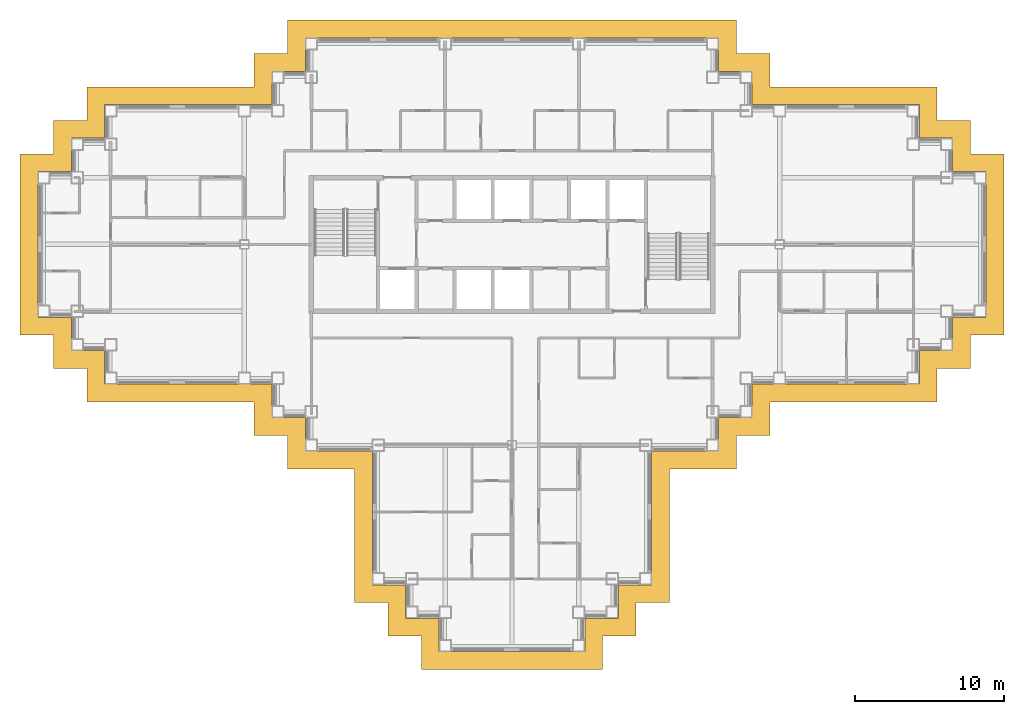
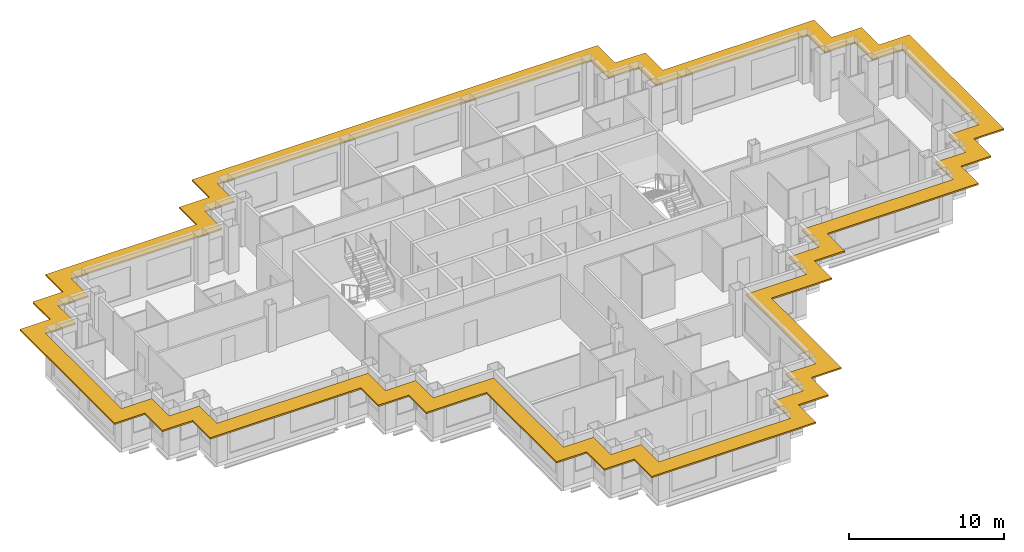
# One storey, part 12 of 13: 1 shading device.
"""IFC4 building model written with IfcOpenShell, lengths in metres."""

from ifc_helpers import new_model, si_unit, direction, frame, origin, place, context, subcontext, project, spatial, polyline, outline, extrude, material, layer, layer_set, type_object, element, save


model = new_model("IFC4")

# Units and contexts
model_context = context("Model", 3, precision=1e-05, world=origin(), true_north=direction((0.0, 1.0)))
body_context = subcontext(model_context, "Body", "Model", "MODEL_VIEW")
ifc_project = project(units=[si_unit("LENGTHUNIT", "METRE"), si_unit("AREAUNIT", "SQUARE_METRE"), si_unit("VOLUMEUNIT", "CUBIC_METRE"), si_unit("PLANEANGLEUNIT", "RADIAN"), si_unit("MASSUNIT", "GRAM", prefix="KILO")], contexts=[model_context])

# Site, building, storey
site_placement = place(None, origin())
site = spatial("IfcSite", under=ifc_project, at=site_placement, CompositionType="ELEMENT")
building_placement = place(site_placement, origin())
building = spatial("IfcBuilding", under=site, at=building_placement, Name="Caravel Reach Hotel and Residences", CompositionType="ELEMENT")
storey_placement = place(building_placement, frame((0.0, 0.0, 154.300048828125)))
storey = spatial("IfcBuildingStorey", under=building, at=storey_placement, Name="L38", CompositionType="ELEMENT", Elevation=154.300048828125)

# Shading device
ifc_material = material(Name="Black powder-coated aluminium", Category="aluminium")
ifc_layer = layer(ifc_material, 0.1201171875)
ifc_layer_set = layer_set([ifc_layer], Name="SS1 Sunshade band 1200")
shading_device_type = type_object("IfcShadingDeviceType", Name="SS1 Sunshade band 1200", PredefinedType="USERDEFINED", material=ifc_layer_set)
shading_device_placement = place(storey_placement, frame((0.0, 0.0, 3.0400390625)))
element("IfcShadingDevice", 1, at=shading_device_placement, inside=storey, type_object=shading_device_type, Name="Sunshade L38 1", ObjectType="SUNSHADE", PredefinedType="USERDEFINED", context=body_context, shape_type="SweptSolid", body=[
    extrude(outline(polyline([(20.89990234375, 11.89990234375), (20.89990234375, 2.89990234375), (23.14990234375, 2.89990234375), (23.14990234375, 0.64990234375), (25.39990234375, 0.64990234375), (25.39990234375, -1.60009765625), (37.60009765625, -1.60009765625), (37.60009765625, 0.64990234375), (39.85009765625, 0.64990234375), (39.85009765625, 2.89990234375), (42.10009765625, 2.89990234375), (42.10009765625, 11.89990234375), (46.60009765625, 11.89990234375), (46.60009765625, 14.14990234375), (48.85009765625, 14.14990234375), (48.85009765625, 16.39990234375), (60.10009765625, 16.39990234375), (60.10009765625, 18.64990234375), (62.35009765625, 18.64990234375), (62.35009765625, 20.89990234375), (64.60009765625, 20.89990234375), (64.60009765625, 33.10009765625), (62.35009765625, 33.10009765625), (62.35009765625, 35.35009765625), (60.10009765625, 35.35009765625), (60.10009765625, 37.60009765625), (48.85009765625, 37.60009765625), (48.85009765625, 39.85009765625), (46.60009765625, 39.85009765625), (46.60009765625, 42.10009765625), (16.39990234375, 42.10009765625), (16.39990234375, 39.85009765625), (14.14990234375, 39.85009765625), (14.14990234375, 37.60009765625), (2.89990234375, 37.60009765625), (2.89990234375, 35.35009765625), (0.64990234375, 35.35009765625), (0.64990234375, 33.10009765625), (-1.60009765625, 33.10009765625), (-1.60009765625, 20.89990234375), (0.64990234375, 20.89990234375), (0.64990234375, 18.64990234375), (2.89990234375, 18.64990234375), (2.89990234375, 16.39990234375), (14.14990234375, 16.39990234375), (14.14990234375, 14.14990234375), (16.39990234375, 14.14990234375), (16.39990234375, 11.89990234375), (20.89990234375, 11.89990234375)]), holes=[polyline([(24.35009765625, 4.10009765625), (22.10009765625, 4.10009765625), (22.10009765625, 13.10009765625), (17.60009765625, 13.10009765625), (17.60009765625, 15.35009765625), (15.35009765625, 15.35009765625), (15.35009765625, 17.60009765625), (4.10009765625, 17.60009765625), (4.10009765625, 19.85009765625), (1.85009765625, 19.85009765625), (1.85009765625, 22.10009765625), (-0.39990234375, 22.10009765625), (-0.39990234375, 31.89990234375), (1.85009765625, 31.89990234375), (1.85009765625, 34.14990234375), (4.10009765625, 34.14990234375), (4.10009765625, 36.39990234375), (15.35009765625, 36.39990234375), (15.35009765625, 38.64990234375), (17.60009765625, 38.64990234375), (17.60009765625, 40.89990234375), (45.39990234375, 40.89990234375), (45.39990234375, 38.64990234375), (47.64990234375, 38.64990234375), (47.64990234375, 36.39990234375), (58.89990234375, 36.39990234375), (58.89990234375, 34.14990234375), (61.14990234375, 34.14990234375), (61.14990234375, 31.89990234375), (63.39990234375, 31.89990234375), (63.39990234375, 22.10009765625), (61.14990234375, 22.10009765625), (61.14990234375, 19.85009765625), (58.89990234375, 19.85009765625), (58.89990234375, 17.60009765625), (47.64990234375, 17.60009765625), (47.64990234375, 15.35009765625), (45.39990234375, 15.35009765625), (45.39990234375, 13.10009765625), (40.89990234375, 13.10009765625), (40.89990234375, 4.10009765625), (38.64990234375, 4.10009765625), (38.64990234375, 1.85009765625), (36.39990234375, 1.85009765625), (36.39990234375, -0.39990234375), (26.60009765625, -0.39990234375), (26.60009765625, 1.85009765625), (24.35009765625, 1.85009765625), (24.35009765625, 4.10009765625)])]), origin(), (0.0, 0.0, 1.0), 0.119873046875),
])

save(model, "model.ifc")
